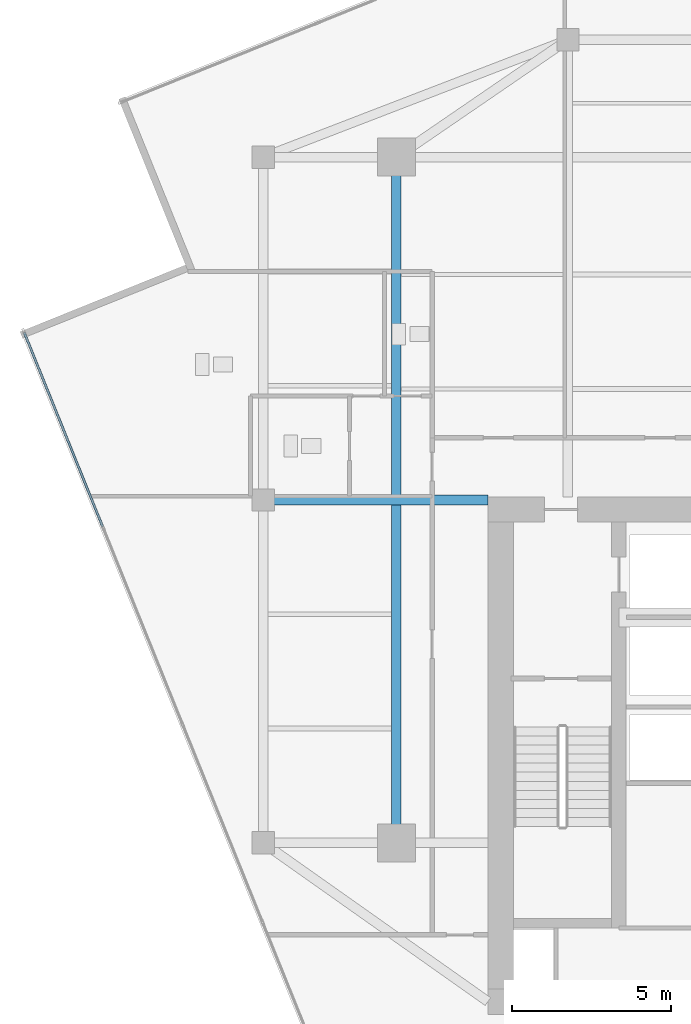
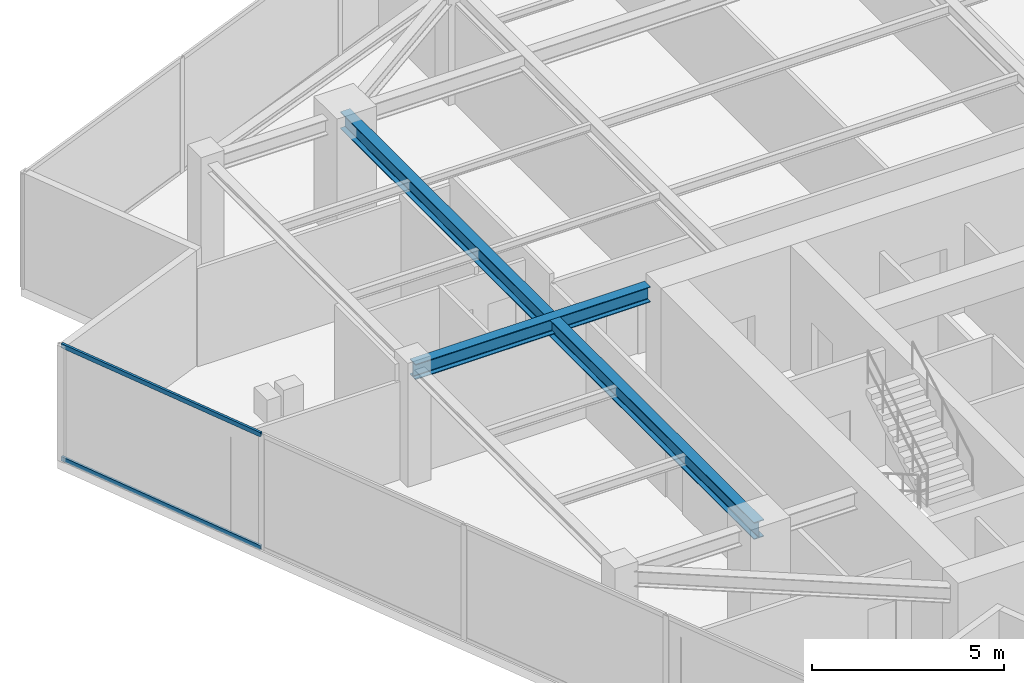
# One storey, part 6 of 21: 2 beams, 2 members, 1 element without a shape of its own.
"""IFC4 building model written with IfcOpenShell, lengths in metres."""

from ifc_helpers import new_model, si_unit, direction, frame, origin, origin_2d, place, context, subcontext, project, spatial, hollow_rectangle, i_section, extrude, source, transform, mapped, material, material_profile, profile_set, type_object, type_shapes, element, aggregate, save


model = new_model("IFC4")

# Units and contexts
model_context = context("Model", 3, precision=1e-05, world=origin(), true_north=direction((0.0, 1.0)))
body_context = subcontext(model_context, "Body", "Model", "MODEL_VIEW")
ifc_project = project(units=[si_unit("LENGTHUNIT", "METRE"), si_unit("AREAUNIT", "SQUARE_METRE"), si_unit("VOLUMEUNIT", "CUBIC_METRE"), si_unit("PLANEANGLEUNIT", "RADIAN"), si_unit("MASSUNIT", "GRAM", prefix="KILO")], contexts=[model_context])

# Site, building, storey
site_placement = place(None, origin())
site = spatial("IfcSite", under=ifc_project, at=site_placement, CompositionType="ELEMENT")
building_placement = place(site_placement, origin())
building = spatial("IfcBuilding", under=site, at=building_placement, Name="Krantzveldt Concourse Tower", CompositionType="ELEMENT")
storey_placement = place(building_placement, frame((0.0, 0.0, 323.75)))
storey = spatial("IfcBuildingStorey", under=building, at=storey_placement, Name="L79", CompositionType="ELEMENT", Elevation=323.75)

# Beams
ifc_material_1 = material(Name="Steel S355JR", Category="steel")
ifc_material_profile_1 = material_profile(ifc_material_1, i_section(OverallWidth=0.300048828125, OverallDepth=0.489990234375, WebThickness=0.011962890625, FlangeThickness=0.02294921875, FilletRadius=0.027099609375, at=origin_2d()), Name="Steel S355JR", Category="steel")
ifc_profile_set_1 = profile_set([ifc_material_profile_1], Name="Steel S355JR - HEA 500")
beam_type_1 = type_object("IfcBeamType", Name="BM-B-HEA500", PredefinedType="BEAM", material=ifc_profile_set_1)
shared_shape_1 = source(origin(), body_context, "Body", "SweptSolid", [
    extrude(i_section(OverallWidth=0.300048828125, OverallDepth=0.489990234375, WebThickness=0.011962890625, FlangeThickness=0.02294921875, FilletRadius=0.027099609375, at=origin_2d()), origin(), (0.0, 0.0, 1.0), 7.080078125),
])
type_shapes(beam_type_1, [shared_shape_1])
beam_1_placement = place(storey_placement, frame((21.0, 26.699951171875, 3.425048828125), z_axis=(1.0, 0.0, 0.0), x_axis=(0.0, 1.0, 0.0)))
element("IfcBeam", 1, at=beam_1_placement, inside=storey, type_object=beam_type_1, Name="L79 Tower Girder BG-CW2", PredefinedType="BEAM", context=body_context, shape_type="MappedRepresentation", body=[
    mapped(shared_shape_1, transform((0.0, 0.0, 0.0), x_axis=(1.0, 0.0, 0.0), y_axis=(0.0, 1.0, 0.0), z_axis=(0.0, 0.0, 1.0), scale=1.0)),
])
ifc_material_profile_2 = material_profile(ifc_material_1, i_section(OverallWidth=0.300048828125, OverallDepth=0.5400390625, WebThickness=0.012451171875, FlangeThickness=0.02392578125, FilletRadius=0.027099609375, at=origin_2d()), Name="Steel S355JR", Category="steel")
ifc_profile_set_2 = profile_set([ifc_material_profile_2], Name="Steel S355JR - HEA 550")
beam_type_2 = type_object("IfcBeamType", Name="BM-B-HEA550", PredefinedType="BEAM", material=ifc_profile_set_2)
shared_shape_2 = source(origin(), body_context, "Body", "SweptSolid", [
    extrude(i_section(OverallWidth=0.300048828125, OverallDepth=0.5400390625, WebThickness=0.012451171875, FlangeThickness=0.02392578125, FilletRadius=0.027099609375, at=origin_2d()), origin(), (0.0, 0.0, 1.0), 21.60009765625),
])
type_shapes(beam_type_2, [shared_shape_2])
beam_2_placement = place(storey_placement, frame((25.199951171875, 15.89990234375, 3.39990234375), z_axis=(0.0, 1.0, 0.0), x_axis=(-1.0, 0.0, 0.0)))
element("IfcBeam", 2, at=beam_2_placement, inside=storey, type_object=beam_type_2, Name="L79 Tower Girder BG-MW", PredefinedType="BEAM", context=body_context, shape_type="MappedRepresentation", body=[
    mapped(shared_shape_2, transform((0.0, 0.0, 0.0), x_axis=(1.0, 0.0, 0.0), y_axis=(0.0, 1.0, 0.0), z_axis=(0.0, 0.0, 1.0), scale=1.0)),
])

# Curtain wall, members
ifc_material_2 = material(Name="Anodised aluminium 6063-T6", Category="aluminium")
curtain_wall_type = type_object("IfcCurtainWallType", Name="CW4", PredefinedType="USERDEFINED", material=ifc_material_2)
curtain_wall_placement = place(storey_placement, origin())
curtain_wall = element("IfcCurtainWall", 3, at=curtain_wall_placement, inside=storey, type_object=curtain_wall_type, Name="CW-L79-F04", ObjectType="UNITISED CURTAIN WALL", PredefinedType="USERDEFINED")
ifc_material_profile_3 = material_profile(ifc_material_2, hollow_rectangle(XDim=0.070068359375, YDim=0.139892578125, WallThickness=0.0048828125, at=origin_2d()), Name="Anodised aluminium 6063-T6", Category="aluminium")
ifc_profile_set_3 = profile_set([ifc_material_profile_3], Name="Anodised aluminium 6063-T6 - ALU-TRAN 140x70x5")
member_type = type_object("IfcMemberType", Name="CW-TRN-150", PredefinedType="USERDEFINED", material=ifc_profile_set_3)
shared_shape_3 = source(origin(), body_context, "Body", "SweptSolid", [
    extrude(hollow_rectangle(XDim=0.070068359375, YDim=0.139892578125, WallThickness=0.0048828125, at=origin_2d()), origin(), (0.0, 0.0, 1.0), 6.594970703125),
])
type_shapes(member_type, [shared_shape_3])
member_1_placement = place(storey_placement, frame((13.473388671875, 31.9755859375, 0.034912109375), z_axis=(0.374630752399, -0.927174093338, 0.0), x_axis=(0.927174093338, 0.374630752399, 0.0)))
member_1 = element("IfcMember", 4, at=member_1_placement, type_object=member_type, Name="CW-Z56 transom 1.1", ObjectType="TRANSOM", PredefinedType="USERDEFINED", context=body_context, shape_type="MappedRepresentation", body=[
    mapped(shared_shape_3, transform((0.0, 0.0, 0.0), x_axis=(1.0, 0.0, 0.0), y_axis=(0.0, 1.0, 0.0), z_axis=(0.0, 0.0, 1.0), scale=1.0)),
])
member_2_placement = place(storey_placement, frame((13.473388671875, 31.9755859375, 3.635009765625), z_axis=(0.374630752399, -0.927174093338, 0.0), x_axis=(0.927174093338, 0.374630752399, 0.0)))
member_2 = element("IfcMember", 5, at=member_2_placement, type_object=member_type, Name="CW-Z56 transom 1.2", ObjectType="TRANSOM", PredefinedType="USERDEFINED", context=body_context, shape_type="MappedRepresentation", body=[
    mapped(shared_shape_3, transform((0.0, 0.0, 0.0), x_axis=(1.0, 0.0, 0.0), y_axis=(0.0, 1.0, 0.0), z_axis=(0.0, 0.0, 1.0), scale=1.0)),
])
aggregate(curtain_wall, [member_1, member_2])

save(model, "model.ifc")
